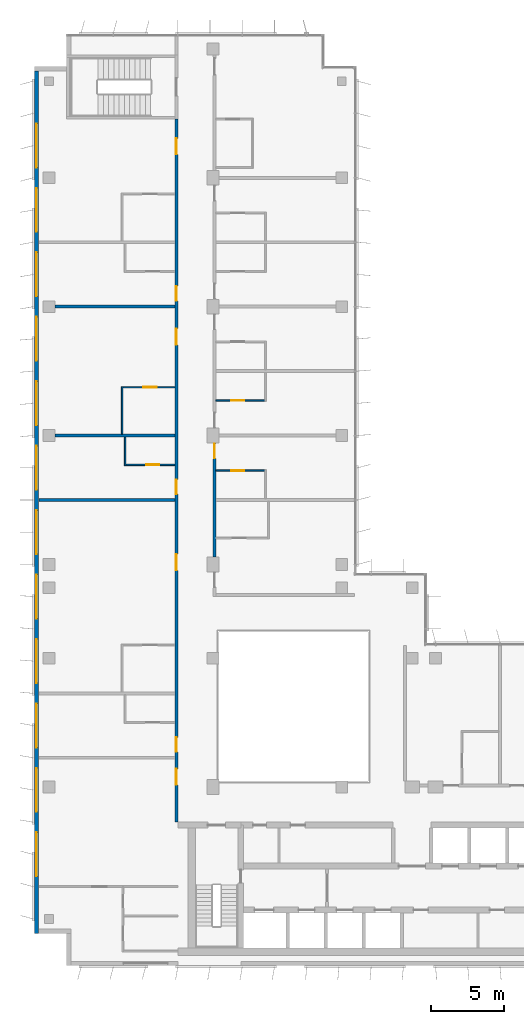
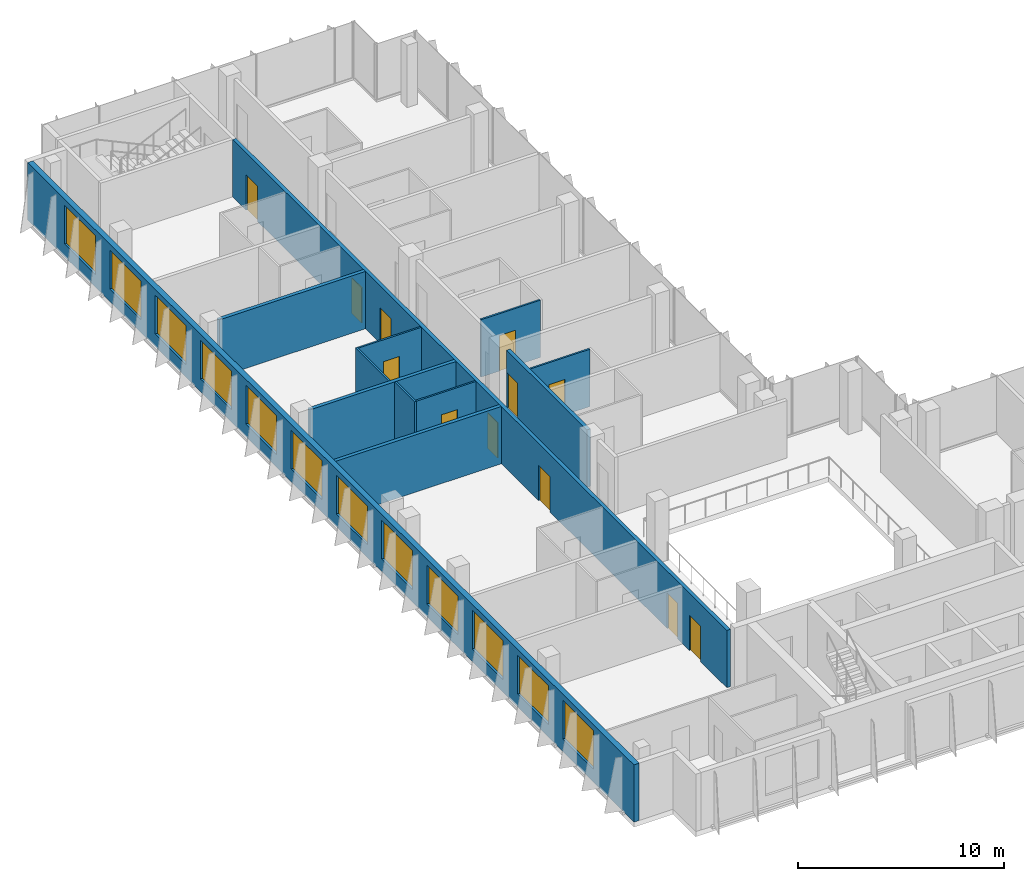
# One storey, part 12 of 17: 12 doors, 12 walls, 12 windows, 24 openings.
"""IFC4 building model written with IfcOpenShell, lengths in metres."""

from ifc_helpers import new_model, si_unit, direction, frame, frame_2d, origin, place, context, subcontext, project, spatial, rectangle, extrude, material, layer, layer_set, type_object, element, fill, save


model = new_model("IFC4")

# Units and contexts
model_context = context("Model", 3, precision=1e-05, world=origin(), true_north=direction((0.0, 1.0)))
body_context = subcontext(model_context, "Body", "Model", "MODEL_VIEW")
ifc_project = project(units=[si_unit("LENGTHUNIT", "METRE"), si_unit("AREAUNIT", "SQUARE_METRE"), si_unit("VOLUMEUNIT", "CUBIC_METRE"), si_unit("PLANEANGLEUNIT", "RADIAN"), si_unit("MASSUNIT", "GRAM", prefix="KILO")], contexts=[model_context])

# Site, building, storey
site_placement = place(None, origin())
site = spatial("IfcSite", under=ifc_project, at=site_placement, CompositionType="ELEMENT")
building_placement = place(site_placement, origin())
building = spatial("IfcBuilding", under=site, at=building_placement, Name="Kemantara Hotel Tower", CompositionType="ELEMENT")
storey_placement = place(building_placement, frame((0.0, 0.0, 222.800048828125)))
storey = spatial("IfcBuildingStorey", under=building, at=storey_placement, Name="L55", CompositionType="ELEMENT", Elevation=222.800048828125)

# Wall, openings, windows
ifc_material_1 = material(Name="Bronze anodised aluminium cladding on insulated steel stud wall", Category="steel")
ifc_layer_1 = layer(ifc_material_1, 0.300048828125)
ifc_layer_set_1 = layer_set([ifc_layer_1], Name="Bronze anodised aluminium cladding on insulated steel stud wall")
wall_type_1 = type_object("IfcWallType", Name="BRONZE METAL-CLAD EXTERNAL WALL 300", PredefinedType="STANDARD", material=ifc_layer_set_1)
wall_1_placement = place(storey_placement, frame((0.14990234375, 61.10009765625, 0.0), z_axis=(0.0, 0.0, 1.0), x_axis=(0.0, -1.0, 0.0)))
wall_1 = element("IfcWall", 1, at=wall_1_placement, inside=storey, type_object=wall_type_1, Name="EXTERNAL WALL L55 T4-R05", PredefinedType="STANDARD", context=body_context, shape_type="SweptSolid", body=[
    extrude(rectangle(XDim=58.900146484375, YDim=0.300048828125, at=frame_2d((29.4501953125, 0.0))), origin(), (0.0, 0.0, 1.0), 3.39990234375),
])
opening_1_placement = place(wall_1_placement, frame((3.60009765625, 0.0, 0.75)))
opening_1 = element("IfcOpeningElement", 2, at=opening_1_placement, cuts=wall_1, Name="Opening W1", PredefinedType="OPENING", context=body_context, shape_type="SweptSolid", body=[
    extrude(rectangle(XDim=3.0, YDim=2.300048828125, at=frame_2d((1.5, 1.14990234375))), frame((0.0, 0.159912109375, 0.0), z_axis=(0.0, -1.0, 0.0), x_axis=(1.0, 0.0, 0.0)), (0.0, 0.0, 1.0), 0.320068359375),
])
opening_2_placement = place(wall_1_placement, frame((8.0, 0.0, 0.75)))
opening_2 = element("IfcOpeningElement", 3, at=opening_2_placement, cuts=wall_1, Name="Opening W1", PredefinedType="OPENING", context=body_context, shape_type="SweptSolid", body=[
    extrude(rectangle(XDim=3.0, YDim=2.300048828125, at=frame_2d((1.5, 1.14990234375))), frame((0.0, 0.159912109375, 0.0), z_axis=(0.0, -1.0, 0.0), x_axis=(1.0, 0.0, 0.0)), (0.0, 0.0, 1.0), 0.320068359375),
])
opening_3_placement = place(wall_1_placement, frame((12.39990234375, 0.0, 0.75)))
opening_3 = element("IfcOpeningElement", 4, at=opening_3_placement, cuts=wall_1, Name="Opening W1", PredefinedType="OPENING", context=body_context, shape_type="SweptSolid", body=[
    extrude(rectangle(XDim=3.0, YDim=2.300048828125, at=frame_2d((1.5, 1.14990234375))), frame((0.0, 0.159912109375, 0.0), z_axis=(0.0, -1.0, 0.0), x_axis=(1.0, 0.0, 0.0)), (0.0, 0.0, 1.0), 0.320068359375),
])
opening_4_placement = place(wall_1_placement, frame((16.800048828125, 0.0, 0.75)))
opening_4 = element("IfcOpeningElement", 5, at=opening_4_placement, cuts=wall_1, Name="Opening W1", PredefinedType="OPENING", context=body_context, shape_type="SweptSolid", body=[
    extrude(rectangle(XDim=3.0, YDim=2.300048828125, at=frame_2d((1.5, 1.14990234375))), frame((0.0, 0.159912109375, 0.0), z_axis=(0.0, -1.0, 0.0), x_axis=(1.0, 0.0, 0.0)), (0.0, 0.0, 1.0), 0.320068359375),
])
opening_5_placement = place(wall_1_placement, frame((21.199951171875, 0.0, 0.75)))
opening_5 = element("IfcOpeningElement", 6, at=opening_5_placement, cuts=wall_1, Name="Opening W1", PredefinedType="OPENING", context=body_context, shape_type="SweptSolid", body=[
    extrude(rectangle(XDim=3.0, YDim=2.300048828125, at=frame_2d((1.5, 1.14990234375))), frame((0.0, 0.159912109375, 0.0), z_axis=(0.0, -1.0, 0.0), x_axis=(1.0, 0.0, 0.0)), (0.0, 0.0, 1.0), 0.320068359375),
])
opening_6_placement = place(wall_1_placement, frame((25.60009765625, 0.0, 0.75)))
opening_6 = element("IfcOpeningElement", 7, at=opening_6_placement, cuts=wall_1, Name="Opening W1", PredefinedType="OPENING", context=body_context, shape_type="SweptSolid", body=[
    extrude(rectangle(XDim=3.0, YDim=2.300048828125, at=frame_2d((1.5, 1.14990234375))), frame((0.0, 0.159912109375, 0.0), z_axis=(0.0, -1.0, 0.0), x_axis=(1.0, 0.0, 0.0)), (0.0, 0.0, 1.0), 0.320068359375),
])
opening_7_placement = place(wall_1_placement, frame((30.0, 0.0, 0.75)))
opening_7 = element("IfcOpeningElement", 8, at=opening_7_placement, cuts=wall_1, Name="Opening W1", PredefinedType="OPENING", context=body_context, shape_type="SweptSolid", body=[
    extrude(rectangle(XDim=3.0, YDim=2.300048828125, at=frame_2d((1.5, 1.14990234375))), frame((0.0, 0.159912109375, 0.0), z_axis=(0.0, -1.0, 0.0), x_axis=(1.0, 0.0, 0.0)), (0.0, 0.0, 1.0), 0.320068359375),
])
opening_8_placement = place(wall_1_placement, frame((34.39990234375, 0.0, 0.75)))
opening_8 = element("IfcOpeningElement", 9, at=opening_8_placement, cuts=wall_1, Name="Opening W1", PredefinedType="OPENING", context=body_context, shape_type="SweptSolid", body=[
    extrude(rectangle(XDim=3.0, YDim=2.300048828125, at=frame_2d((1.5, 1.14990234375))), frame((0.0, 0.159912109375, 0.0), z_axis=(0.0, -1.0, 0.0), x_axis=(1.0, 0.0, 0.0)), (0.0, 0.0, 1.0), 0.320068359375),
])
opening_9_placement = place(wall_1_placement, frame((38.800048828125, 0.0, 0.75)))
opening_9 = element("IfcOpeningElement", 10, at=opening_9_placement, cuts=wall_1, Name="Opening W1", PredefinedType="OPENING", context=body_context, shape_type="SweptSolid", body=[
    extrude(rectangle(XDim=3.0, YDim=2.300048828125, at=frame_2d((1.5, 1.14990234375))), frame((0.0, 0.159912109375, 0.0), z_axis=(0.0, -1.0, 0.0), x_axis=(1.0, 0.0, 0.0)), (0.0, 0.0, 1.0), 0.320068359375),
])
opening_10_placement = place(wall_1_placement, frame((43.199951171875, 0.0, 0.75)))
opening_10 = element("IfcOpeningElement", 11, at=opening_10_placement, cuts=wall_1, Name="Opening W1", PredefinedType="OPENING", context=body_context, shape_type="SweptSolid", body=[
    extrude(rectangle(XDim=3.0, YDim=2.300048828125, at=frame_2d((1.5, 1.14990234375))), frame((0.0, 0.159912109375, 0.0), z_axis=(0.0, -1.0, 0.0), x_axis=(1.0, 0.0, 0.0)), (0.0, 0.0, 1.0), 0.320068359375),
])
opening_11_placement = place(wall_1_placement, frame((47.60009765625, 0.0, 0.75)))
opening_11 = element("IfcOpeningElement", 12, at=opening_11_placement, cuts=wall_1, Name="Opening W1", PredefinedType="OPENING", context=body_context, shape_type="SweptSolid", body=[
    extrude(rectangle(XDim=3.0, YDim=2.300048828125, at=frame_2d((1.5, 1.14990234375))), frame((0.0, 0.159912109375, 0.0), z_axis=(0.0, -1.0, 0.0), x_axis=(1.0, 0.0, 0.0)), (0.0, 0.0, 1.0), 0.320068359375),
])
opening_12_placement = place(wall_1_placement, frame((52.0, 0.0, 0.75)))
opening_12 = element("IfcOpeningElement", 13, at=opening_12_placement, cuts=wall_1, Name="Opening W1", PredefinedType="OPENING", context=body_context, shape_type="SweptSolid", body=[
    extrude(rectangle(XDim=3.0, YDim=2.300048828125, at=frame_2d((1.5, 1.14990234375))), frame((0.0, 0.159912109375, 0.0), z_axis=(0.0, -1.0, 0.0), x_axis=(1.0, 0.0, 0.0)), (0.0, 0.0, 1.0), 0.320068359375),
])
ifc_material_2 = material(Name="Low-E tinted double insulated glass in bronze anodised aluminium frame", Category="aluminium")
window_type = type_object("IfcWindowType", Name="CHICAGO WINDOW, TRIPLE PANEL 3000x2300", PartitioningType="TRIPLE_PANEL_VERTICAL", PredefinedType="WINDOW", material=ifc_material_2)
window_1_placement = place(opening_1_placement, origin())
window_1 = element("IfcWindow", 14, at=window_1_placement, inside=storey, type_object=window_type, Name="CHICAGO WINDOW L55 T4-R05-54", OverallHeight=2.300048828125, OverallWidth=3.0, PartitioningType="SINGLE_PANEL", PredefinedType="WINDOW", context=body_context, shape_type="SweptSolid", body=[
    extrude(rectangle(XDim=3.0, YDim=2.300048828125, at=frame_2d((1.5, 1.14990234375))), frame((0.0, 0.030029296875, 0.0), z_axis=(0.0, -1.0, 0.0), x_axis=(1.0, 0.0, 0.0)), (0.0, 0.0, 1.0), 0.06005859375),
])
fill(opening_1, window_1)
window_2_placement = place(opening_2_placement, origin())
window_2 = element("IfcWindow", 15, at=window_2_placement, inside=storey, type_object=window_type, Name="CHICAGO WINDOW L55 T4-R05-98", OverallHeight=2.300048828125, OverallWidth=3.0, PartitioningType="SINGLE_PANEL", PredefinedType="WINDOW", context=body_context, shape_type="SweptSolid", body=[
    extrude(rectangle(XDim=3.0, YDim=2.300048828125, at=frame_2d((1.5, 1.14990234375))), frame((0.0, 0.030029296875, 0.0), z_axis=(0.0, -1.0, 0.0), x_axis=(1.0, 0.0, 0.0)), (0.0, 0.0, 1.0), 0.06005859375),
])
fill(opening_2, window_2)
window_3_placement = place(opening_3_placement, origin())
window_3 = element("IfcWindow", 16, at=window_3_placement, inside=storey, type_object=window_type, Name="CHICAGO WINDOW L55 T4-R05-142", OverallHeight=2.300048828125, OverallWidth=3.0, PartitioningType="SINGLE_PANEL", PredefinedType="WINDOW", context=body_context, shape_type="SweptSolid", body=[
    extrude(rectangle(XDim=3.0, YDim=2.300048828125, at=frame_2d((1.5, 1.14990234375))), frame((0.0, 0.030029296875, 0.0), z_axis=(0.0, -1.0, 0.0), x_axis=(1.0, 0.0, 0.0)), (0.0, 0.0, 1.0), 0.06005859375),
])
fill(opening_3, window_3)
window_4_placement = place(opening_4_placement, origin())
window_4 = element("IfcWindow", 17, at=window_4_placement, inside=storey, type_object=window_type, Name="CHICAGO WINDOW L55 T4-R05-186", OverallHeight=2.300048828125, OverallWidth=3.0, PartitioningType="SINGLE_PANEL", PredefinedType="WINDOW", context=body_context, shape_type="SweptSolid", body=[
    extrude(rectangle(XDim=3.0, YDim=2.300048828125, at=frame_2d((1.5, 1.14990234375))), frame((0.0, 0.030029296875, 0.0), z_axis=(0.0, -1.0, 0.0), x_axis=(1.0, 0.0, 0.0)), (0.0, 0.0, 1.0), 0.06005859375),
])
fill(opening_4, window_4)
window_5_placement = place(opening_5_placement, origin())
window_5 = element("IfcWindow", 18, at=window_5_placement, inside=storey, type_object=window_type, Name="CHICAGO WINDOW L55 T4-R05-230", OverallHeight=2.300048828125, OverallWidth=3.0, PartitioningType="SINGLE_PANEL", PredefinedType="WINDOW", context=body_context, shape_type="SweptSolid", body=[
    extrude(rectangle(XDim=3.0, YDim=2.300048828125, at=frame_2d((1.5, 1.14990234375))), frame((0.0, 0.030029296875, 0.0), z_axis=(0.0, -1.0, 0.0), x_axis=(1.0, 0.0, 0.0)), (0.0, 0.0, 1.0), 0.06005859375),
])
fill(opening_5, window_5)
window_6_placement = place(opening_6_placement, origin())
window_6 = element("IfcWindow", 19, at=window_6_placement, inside=storey, type_object=window_type, Name="CHICAGO WINDOW L55 T4-R05-274", OverallHeight=2.300048828125, OverallWidth=3.0, PartitioningType="SINGLE_PANEL", PredefinedType="WINDOW", context=body_context, shape_type="SweptSolid", body=[
    extrude(rectangle(XDim=3.0, YDim=2.300048828125, at=frame_2d((1.5, 1.14990234375))), frame((0.0, 0.030029296875, 0.0), z_axis=(0.0, -1.0, 0.0), x_axis=(1.0, 0.0, 0.0)), (0.0, 0.0, 1.0), 0.06005859375),
])
fill(opening_6, window_6)
window_7_placement = place(opening_7_placement, origin())
window_7 = element("IfcWindow", 20, at=window_7_placement, inside=storey, type_object=window_type, Name="CHICAGO WINDOW L55 T4-R05-318", OverallHeight=2.300048828125, OverallWidth=3.0, PartitioningType="SINGLE_PANEL", PredefinedType="WINDOW", context=body_context, shape_type="SweptSolid", body=[
    extrude(rectangle(XDim=3.0, YDim=2.300048828125, at=frame_2d((1.5, 1.14990234375))), frame((0.0, 0.030029296875, 0.0), z_axis=(0.0, -1.0, 0.0), x_axis=(1.0, 0.0, 0.0)), (0.0, 0.0, 1.0), 0.06005859375),
])
fill(opening_7, window_7)
window_8_placement = place(opening_8_placement, origin())
window_8 = element("IfcWindow", 21, at=window_8_placement, inside=storey, type_object=window_type, Name="CHICAGO WINDOW L55 T4-R05-362", OverallHeight=2.300048828125, OverallWidth=3.0, PartitioningType="SINGLE_PANEL", PredefinedType="WINDOW", context=body_context, shape_type="SweptSolid", body=[
    extrude(rectangle(XDim=3.0, YDim=2.300048828125, at=frame_2d((1.5, 1.14990234375))), frame((0.0, 0.030029296875, 0.0), z_axis=(0.0, -1.0, 0.0), x_axis=(1.0, 0.0, 0.0)), (0.0, 0.0, 1.0), 0.06005859375),
])
fill(opening_8, window_8)
window_9_placement = place(opening_9_placement, origin())
window_9 = element("IfcWindow", 22, at=window_9_placement, inside=storey, type_object=window_type, Name="CHICAGO WINDOW L55 T4-R05-406", OverallHeight=2.300048828125, OverallWidth=3.0, PartitioningType="SINGLE_PANEL", PredefinedType="WINDOW", context=body_context, shape_type="SweptSolid", body=[
    extrude(rectangle(XDim=3.0, YDim=2.300048828125, at=frame_2d((1.5, 1.14990234375))), frame((0.0, 0.030029296875, 0.0), z_axis=(0.0, -1.0, 0.0), x_axis=(1.0, 0.0, 0.0)), (0.0, 0.0, 1.0), 0.06005859375),
])
fill(opening_9, window_9)
window_10_placement = place(opening_10_placement, origin())
window_10 = element("IfcWindow", 23, at=window_10_placement, inside=storey, type_object=window_type, Name="CHICAGO WINDOW L55 T4-R05-450", OverallHeight=2.300048828125, OverallWidth=3.0, PartitioningType="SINGLE_PANEL", PredefinedType="WINDOW", context=body_context, shape_type="SweptSolid", body=[
    extrude(rectangle(XDim=3.0, YDim=2.300048828125, at=frame_2d((1.5, 1.14990234375))), frame((0.0, 0.030029296875, 0.0), z_axis=(0.0, -1.0, 0.0), x_axis=(1.0, 0.0, 0.0)), (0.0, 0.0, 1.0), 0.06005859375),
])
fill(opening_10, window_10)
window_11_placement = place(opening_11_placement, origin())
window_11 = element("IfcWindow", 24, at=window_11_placement, inside=storey, type_object=window_type, Name="CHICAGO WINDOW L55 T4-R05-494", OverallHeight=2.300048828125, OverallWidth=3.0, PartitioningType="SINGLE_PANEL", PredefinedType="WINDOW", context=body_context, shape_type="SweptSolid", body=[
    extrude(rectangle(XDim=3.0, YDim=2.300048828125, at=frame_2d((1.5, 1.14990234375))), frame((0.0, 0.030029296875, 0.0), z_axis=(0.0, -1.0, 0.0), x_axis=(1.0, 0.0, 0.0)), (0.0, 0.0, 1.0), 0.06005859375),
])
fill(opening_11, window_11)
window_12_placement = place(opening_12_placement, origin())
window_12 = element("IfcWindow", 25, at=window_12_placement, inside=storey, type_object=window_type, Name="CHICAGO WINDOW L55 T4-R05-538", OverallHeight=2.300048828125, OverallWidth=3.0, PartitioningType="SINGLE_PANEL", PredefinedType="WINDOW", context=body_context, shape_type="SweptSolid", body=[
    extrude(rectangle(XDim=3.0, YDim=2.300048828125, at=frame_2d((1.5, 1.14990234375))), frame((0.0, 0.030029296875, 0.0), z_axis=(0.0, -1.0, 0.0), x_axis=(1.0, 0.0, 0.0)), (0.0, 0.0, 1.0), 0.06005859375),
])
fill(opening_12, window_12)

# Wall, openings, doors
ifc_material_3 = material(Name="Gypsum board partition, steel studs and mineral wool, 200 mm", Category="steel")
ifc_layer_2 = layer(ifc_material_3, 0.199951171875)
ifc_layer_set_2 = layer_set([ifc_layer_2], Name="Gypsum board partition, steel studs and mineral wool, 200 mm")
wall_type_2 = type_object("IfcWallType", Name="CORRIDOR WALL 200", PredefinedType="PARTITIONING", material=ifc_layer_set_2)
wall_2_placement = place(storey_placement, frame((9.699951171875, 9.800048828125, 0.0), z_axis=(0.0, 0.0, 1.0), x_axis=(0.0, 1.0, 0.0)))
wall_2 = element("IfcWall", 26, at=wall_2_placement, inside=storey, type_object=wall_type_2, Name="CORRIDOR WALL 200 008", PredefinedType="PARTITIONING", context=body_context, shape_type="SweptSolid", body=[
    extrude(rectangle(XDim=48.0, YDim=0.199951171875, at=frame_2d((24.0, 0.0))), origin(), (0.0, 0.0, 1.0), 3.39990234375),
])
opening_13_placement = place(wall_2_placement, frame((2.550048828125, 0.0, 0.0)))
opening_13 = element("IfcOpeningElement", 27, at=opening_13_placement, cuts=wall_2, Name="Opening F27-009", PredefinedType="OPENING", context=body_context, shape_type="SweptSolid", body=[
    extrude(rectangle(XDim=1.10009765625, YDim=2.10009765625, at=frame_2d((0.550048828125, 1.050048828125))), frame((0.0, 0.10986328125, 0.0), z_axis=(0.0, -1.0, 0.0), x_axis=(1.0, 0.0, 0.0)), (0.0, 0.0, 1.0), 0.219970703125),
])
opening_14_placement = place(wall_2_placement, frame((4.800048828125, 0.0, 0.0)))
opening_14 = element("IfcOpeningElement", 28, at=opening_14_placement, cuts=wall_2, Name="Opening F27-013", PredefinedType="OPENING", context=body_context, shape_type="SweptSolid", body=[
    extrude(rectangle(XDim=1.0, YDim=2.10009765625, at=frame_2d((0.5, 1.050048828125))), frame((0.0, 0.10986328125, 0.0), z_axis=(0.0, -1.0, 0.0), x_axis=(1.0, 0.0, 0.0)), (0.0, 0.0, 1.0), 0.219970703125),
])
opening_15_placement = place(wall_2_placement, frame((17.199951171875, 0.0, 0.0)))
opening_15 = element("IfcOpeningElement", 29, at=opening_15_placement, cuts=wall_2, Name="Opening F27-015", PredefinedType="OPENING", context=body_context, shape_type="SweptSolid", body=[
    extrude(rectangle(XDim=1.10009765625, YDim=2.10009765625, at=frame_2d((0.550048828125, 1.050048828125))), frame((0.0, 0.10986328125, 0.0), z_axis=(0.0, -1.0, 0.0), x_axis=(1.0, 0.0, 0.0)), (0.0, 0.0, 1.0), 0.219970703125),
])
opening_16_placement = place(wall_2_placement, frame((22.39990234375, 0.0, 0.0)))
opening_16 = element("IfcOpeningElement", 30, at=opening_16_placement, cuts=wall_2, Name="Opening F27-017", PredefinedType="OPENING", context=body_context, shape_type="SweptSolid", body=[
    extrude(rectangle(XDim=1.0, YDim=2.10009765625, at=frame_2d((0.5, 1.050048828125))), frame((0.0, 0.10986328125, 0.0), z_axis=(0.0, -1.0, 0.0), x_axis=(1.0, 0.0, 0.0)), (0.0, 0.0, 1.0), 0.219970703125),
])
opening_17_placement = place(wall_2_placement, frame((32.60009765625, 0.0, 0.0)))
opening_17 = element("IfcOpeningElement", 31, at=opening_17_placement, cuts=wall_2, Name="Opening F27-019", PredefinedType="OPENING", context=body_context, shape_type="SweptSolid", body=[
    extrude(rectangle(XDim=1.10009765625, YDim=2.10009765625, at=frame_2d((0.550048828125, 1.050048828125))), frame((0.0, 0.10986328125, 0.0), z_axis=(0.0, -1.0, 0.0), x_axis=(1.0, 0.0, 0.0)), (0.0, 0.0, 1.0), 0.219970703125),
])
opening_18_placement = place(wall_2_placement, frame((35.60009765625, 0.0, 0.0)))
opening_18 = element("IfcOpeningElement", 32, at=opening_18_placement, cuts=wall_2, Name="Opening F27-021", PredefinedType="OPENING", context=body_context, shape_type="SweptSolid", body=[
    extrude(rectangle(XDim=1.0, YDim=2.10009765625, at=frame_2d((0.5, 1.050048828125))), frame((0.0, 0.10986328125, 0.0), z_axis=(0.0, -1.0, 0.0), x_axis=(1.0, 0.0, 0.0)), (0.0, 0.0, 1.0), 0.219970703125),
])
opening_19_placement = place(wall_2_placement, frame((45.60009765625, 0.0, 0.0)))
opening_19 = element("IfcOpeningElement", 33, at=opening_19_placement, cuts=wall_2, Name="Opening F27-023", PredefinedType="OPENING", context=body_context, shape_type="SweptSolid", body=[
    extrude(rectangle(XDim=1.10009765625, YDim=2.10009765625, at=frame_2d((0.550048828125, 1.050048828125))), frame((0.0, 0.10986328125, 0.0), z_axis=(0.0, -1.0, 0.0), x_axis=(1.0, 0.0, 0.0)), (0.0, 0.0, 1.0), 0.219970703125),
])
ifc_material_4 = material(Name="Hardwood veneer door leaf with steel frame", Category="steel")
door_type_1 = type_object("IfcDoorType", Name="GUEST ROOM DOOR 1000 X 2100 FD30S", OperationType="NOTDEFINED", PredefinedType="DOOR", material=ifc_material_4)
door_1_placement = place(opening_14_placement, origin())
door_1 = element("IfcDoor", 34, at=door_1_placement, inside=storey, type_object=door_type_1, Name="GUEST ROOM DOOR F27-013", OperationType="SINGLE_SWING_LEFT", OverallHeight=2.10009765625, OverallWidth=1.0, PredefinedType="DOOR", context=body_context, shape_type="SweptSolid", body=[
    extrude(rectangle(XDim=1.0, YDim=2.10009765625, at=frame_2d((0.5, 1.050048828125))), frame((0.0, 0.02490234375, 0.0), z_axis=(0.0, -1.0, 0.0), x_axis=(1.0, 0.0, 0.0)), (0.0, 0.0, 1.0), 0.050048828125),
])
fill(opening_14, door_1)
door_2_placement = place(opening_16_placement, origin())
door_2 = element("IfcDoor", 35, at=door_2_placement, inside=storey, type_object=door_type_1, Name="GUEST ROOM DOOR F27-017", OperationType="SINGLE_SWING_LEFT", OverallHeight=2.10009765625, OverallWidth=1.0, PredefinedType="DOOR", context=body_context, shape_type="SweptSolid", body=[
    extrude(rectangle(XDim=1.0, YDim=2.10009765625, at=frame_2d((0.5, 1.050048828125))), frame((0.0, 0.02490234375, 0.0), z_axis=(0.0, -1.0, 0.0), x_axis=(1.0, 0.0, 0.0)), (0.0, 0.0, 1.0), 0.050048828125),
])
fill(opening_16, door_2)
door_3_placement = place(opening_18_placement, origin())
door_3 = element("IfcDoor", 36, at=door_3_placement, inside=storey, type_object=door_type_1, Name="GUEST ROOM DOOR F27-021", OperationType="SINGLE_SWING_LEFT", OverallHeight=2.10009765625, OverallWidth=1.0, PredefinedType="DOOR", context=body_context, shape_type="SweptSolid", body=[
    extrude(rectangle(XDim=1.0, YDim=2.10009765625, at=frame_2d((0.5, 1.050048828125))), frame((0.0, 0.02490234375, 0.0), z_axis=(0.0, -1.0, 0.0), x_axis=(1.0, 0.0, 0.0)), (0.0, 0.0, 1.0), 0.050048828125),
])
fill(opening_18, door_3)
door_type_2 = type_object("IfcDoorType", Name="SUITE ENTRANCE DOOR 1100 X 2100 FD30S", OperationType="NOTDEFINED", PredefinedType="DOOR", material=ifc_material_4)
door_4_placement = place(opening_13_placement, origin())
door_4 = element("IfcDoor", 37, at=door_4_placement, inside=storey, type_object=door_type_2, Name="SUITE ENTRANCE DOOR F27-009", OperationType="SINGLE_SWING_RIGHT", OverallHeight=2.10009765625, OverallWidth=1.10009765625, PredefinedType="DOOR", context=body_context, shape_type="SweptSolid", body=[
    extrude(rectangle(XDim=1.10009765625, YDim=2.10009765625, at=frame_2d((0.550048828125, 1.050048828125))), frame((0.0, 0.02490234375, 0.0), z_axis=(0.0, -1.0, 0.0), x_axis=(1.0, 0.0, 0.0)), (0.0, 0.0, 1.0), 0.050048828125),
])
fill(opening_13, door_4)
door_5_placement = place(opening_15_placement, origin())
door_5 = element("IfcDoor", 38, at=door_5_placement, inside=storey, type_object=door_type_2, Name="SUITE ENTRANCE DOOR F27-015", OperationType="SINGLE_SWING_RIGHT", OverallHeight=2.10009765625, OverallWidth=1.10009765625, PredefinedType="DOOR", context=body_context, shape_type="SweptSolid", body=[
    extrude(rectangle(XDim=1.10009765625, YDim=2.10009765625, at=frame_2d((0.550048828125, 1.050048828125))), frame((0.0, 0.02490234375, 0.0), z_axis=(0.0, -1.0, 0.0), x_axis=(1.0, 0.0, 0.0)), (0.0, 0.0, 1.0), 0.050048828125),
])
fill(opening_15, door_5)
door_6_placement = place(opening_17_placement, origin())
door_6 = element("IfcDoor", 39, at=door_6_placement, inside=storey, type_object=door_type_2, Name="SUITE ENTRANCE DOOR F27-019", OperationType="SINGLE_SWING_RIGHT", OverallHeight=2.10009765625, OverallWidth=1.10009765625, PredefinedType="DOOR", context=body_context, shape_type="SweptSolid", body=[
    extrude(rectangle(XDim=1.10009765625, YDim=2.10009765625, at=frame_2d((0.550048828125, 1.050048828125))), frame((0.0, 0.02490234375, 0.0), z_axis=(0.0, -1.0, 0.0), x_axis=(1.0, 0.0, 0.0)), (0.0, 0.0, 1.0), 0.050048828125),
])
fill(opening_17, door_6)
door_7_placement = place(opening_19_placement, origin())
door_7 = element("IfcDoor", 40, at=door_7_placement, inside=storey, type_object=door_type_2, Name="SUITE ENTRANCE DOOR F27-023", OperationType="SINGLE_SWING_RIGHT", OverallHeight=2.10009765625, OverallWidth=1.10009765625, PredefinedType="DOOR", context=body_context, shape_type="SweptSolid", body=[
    extrude(rectangle(XDim=1.10009765625, YDim=2.10009765625, at=frame_2d((0.550048828125, 1.050048828125))), frame((0.0, 0.02490234375, 0.0), z_axis=(0.0, -1.0, 0.0), x_axis=(1.0, 0.0, 0.0)), (0.0, 0.0, 1.0), 0.050048828125),
])
fill(opening_19, door_7)

# Wall, opening, door
wall_3_placement = place(storey_placement, frame((12.300048828125, 35.699951171875, 0.0), z_axis=(0.0, 0.0, 1.0), x_axis=(0.0, -1.0, 0.0)))
wall_3 = element("IfcWall", 41, at=wall_3_placement, inside=storey, type_object=wall_type_2, Name="CORRIDOR WALL 200 021", PredefinedType="PARTITIONING", context=body_context, shape_type="SweptSolid", body=[
    extrude(rectangle(XDim=7.7998046875, YDim=0.199951171875, at=frame_2d((3.89990234375, 0.0))), origin(), (0.0, 0.0, 1.0), 3.39990234375),
])
opening_20_placement = place(wall_3_placement, frame((0.0498046875, 0.0, 0.0)))
opening_20 = element("IfcOpeningElement", 42, at=opening_20_placement, cuts=wall_3, Name="Opening F27-027", PredefinedType="OPENING", context=body_context, shape_type="SweptSolid", body=[
    extrude(rectangle(XDim=1.0, YDim=2.10009765625, at=frame_2d((0.5, 1.050048828125))), frame((0.0, 0.10986328125, 0.0), z_axis=(0.0, -1.0, 0.0), x_axis=(1.0, 0.0, 0.0)), (0.0, 0.0, 1.0), 0.219970703125),
])
door_8_placement = place(opening_20_placement, origin())
door_8 = element("IfcDoor", 43, at=door_8_placement, inside=storey, type_object=door_type_1, Name="GUEST ROOM DOOR F27-027", OperationType="SINGLE_SWING_LEFT", OverallHeight=2.10009765625, OverallWidth=1.0, PredefinedType="DOOR", context=body_context, shape_type="SweptSolid", body=[
    extrude(rectangle(XDim=1.0, YDim=2.10009765625, at=frame_2d((0.5, 1.050048828125))), frame((0.0, 0.02490234375, 0.0), z_axis=(0.0, -1.0, 0.0), x_axis=(1.0, 0.0, 0.0)), (0.0, 0.0, 1.0), 0.050048828125),
])
fill(opening_20, door_8)

# Walls
ifc_layer_3 = layer(ifc_material_3, 0.199951171875)
ifc_layer_set_3 = layer_set([ifc_layer_3], Name="Gypsum board partition, steel studs and mineral wool, 200 mm")
wall_type_3 = type_object("IfcWallType", Name="GUEST ROOM PARTY WALL 200", PredefinedType="PARTITIONING", material=ifc_layer_set_3)
wall_4_placement = place(storey_placement, frame((0.31005859375, 31.800048828125, 0.0), z_axis=(0.0, 0.0, 1.0), x_axis=(1.0, 0.0, 0.0)))
element("IfcWall", 44, at=wall_4_placement, inside=storey, type_object=wall_type_3, Name="GUEST ROOM PARTY WALL 200 012", PredefinedType="PARTITIONING", context=body_context, shape_type="SweptSolid", body=[
    extrude(rectangle(XDim=9.2900390625, YDim=0.199951171875, at=frame_2d((4.64501953125, 0.0))), origin(), (0.0, 0.0, 1.0), 3.39990234375),
])
for number, where, z_axis, x_axis, name in (
    (45, (1.400146484375, 36.199951171875, 0.0), (0.0, 0.0, 1.0), (1.0, 0.0, 0.0), "GUEST ROOM PARTY WALL 200 014"),
    (46, (1.400146484375, 45.0, 0.0), (0.0, 0.0, 1.0), (1.0, 0.0, 0.0), "GUEST ROOM PARTY WALL 200 016"),
):
    element("IfcWall", number, at=place(storey_placement, frame(where, z_axis=z_axis, x_axis=x_axis)), inside=storey, type_object=wall_type_3, Name=name, PredefinedType="PARTITIONING", context=body_context, shape_type="SweptSolid", body=[
        extrude(rectangle(XDim=8.199951171875, YDim=0.199951171875, at=frame_2d((4.10009765625, 0.0))), origin(), (0.0, 0.0, 1.0), 3.39990234375),
    ])
ifc_material_5 = material(Name="Gypsum board partition on steel studs, 100 mm", Category="steel")
ifc_layer_4 = layer(ifc_material_5, 0.10009765625)
ifc_layer_set_4 = layer_set([ifc_layer_4], Name="Gypsum board partition on steel studs, 100 mm")
wall_type_4 = type_object("IfcWallType", Name="ROOM PARTITION 100", PredefinedType="PARTITIONING", material=ifc_layer_set_4)
wall_5_placement = place(storey_placement, frame((6.199951171875, 34.14990234375, 0.0), z_axis=(0.0, 0.0, 1.0), x_axis=(0.0, 1.0, 0.0)))
element("IfcWall", 47, at=wall_5_placement, inside=storey, type_object=wall_type_4, Name="ROOM PARTITION 100 041", PredefinedType="PARTITIONING", context=body_context, shape_type="SweptSolid", body=[
    extrude(rectangle(XDim=1.9501953125, YDim=0.10009765625, at=frame_2d((0.97509765625, 0.0))), origin(), (0.0, 0.0, 1.0), 3.39990234375),
])
wall_6_placement = place(storey_placement, frame((6.0, 36.300048828125, 0.0), z_axis=(0.0, 0.0, 1.0), x_axis=(0.0, 1.0, 0.0)))
element("IfcWall", 48, at=wall_6_placement, inside=storey, type_object=wall_type_4, Name="ROOM PARTITION 100 045", PredefinedType="PARTITIONING", context=body_context, shape_type="SweptSolid", body=[
    extrude(rectangle(XDim=3.25, YDim=0.10009765625, at=frame_2d((1.625, 0.0))), origin(), (0.0, 0.0, 1.0), 3.39990234375),
])

# Wall, opening, door
wall_7_placement = place(storey_placement, frame((6.25, 34.199951171875, 0.0), z_axis=(0.0, 0.0, 1.0), x_axis=(1.0, 0.0, 0.0)))
wall_7 = element("IfcWall", 49, at=wall_7_placement, inside=storey, type_object=wall_type_4, Name="ROOM PARTITION 100 048", PredefinedType="PARTITIONING", context=body_context, shape_type="SweptSolid", body=[
    extrude(rectangle(XDim=3.35009765625, YDim=0.10009765625, at=frame_2d((1.675048828125, 0.0))), origin(), (0.0, 0.0, 1.0), 3.39990234375),
])
opening_21_placement = place(wall_7_placement, frame((1.39990234375, 0.0, 0.0)))
opening_21 = element("IfcOpeningElement", 50, at=opening_21_placement, cuts=wall_7, Name="Opening F27-018", PredefinedType="OPENING", context=body_context, shape_type="SweptSolid", body=[
    extrude(rectangle(XDim=0.89990234375, YDim=2.10009765625, at=frame_2d((0.449951171875, 1.050048828125))), frame((0.0, 0.06005859375, 0.0), z_axis=(0.0, -1.0, 0.0), x_axis=(1.0, 0.0, 0.0)), (0.0, 0.0, 1.0), 0.1201171875),
])
door_type_3 = type_object("IfcDoorType", Name="BATHROOM DOOR 900 X 2100", OperationType="NOTDEFINED", PredefinedType="DOOR", material=ifc_material_4)
door_9_placement = place(opening_21_placement, origin())
door_9 = element("IfcDoor", 51, at=door_9_placement, inside=storey, type_object=door_type_3, Name="BATHROOM DOOR F27-018", OperationType="SINGLE_SWING_RIGHT", OverallHeight=2.10009765625, OverallWidth=0.89990234375, PredefinedType="DOOR", context=body_context, shape_type="SweptSolid", body=[
    extrude(rectangle(XDim=0.89990234375, YDim=2.10009765625, at=frame_2d((0.449951171875, 1.050048828125))), frame((0.0, 0.02490234375, 0.0), z_axis=(0.0, -1.0, 0.0), x_axis=(1.0, 0.0, 0.0)), (0.0, 0.0, 1.0), 0.050048828125),
])
fill(opening_21, door_9)

wall_8_placement = place(storey_placement, frame((9.60009765625, 39.5, 0.0), z_axis=(0.0, 0.0, 1.0), x_axis=(-1.0, 0.0, 0.0)))
wall_8 = element("IfcWall", 52, at=wall_8_placement, inside=storey, type_object=wall_type_4, Name="ROOM PARTITION 100 049", PredefinedType="PARTITIONING", context=body_context, shape_type="SweptSolid", body=[
    extrude(rectangle(XDim=3.550048828125, YDim=0.10009765625, at=frame_2d((1.77490234375, 0.0))), origin(), (0.0, 0.0, 1.0), 3.39990234375),
])
opening_22_placement = place(wall_8_placement, frame((1.25, 0.0, 0.0)))
opening_22 = element("IfcOpeningElement", 53, at=opening_22_placement, cuts=wall_8, Name="Opening F27-020", PredefinedType="OPENING", context=body_context, shape_type="SweptSolid", body=[
    extrude(rectangle(XDim=0.89990234375, YDim=2.10009765625, at=frame_2d((0.449951171875, 1.050048828125))), frame((0.0, 0.06005859375, 0.0), z_axis=(0.0, -1.0, 0.0), x_axis=(1.0, 0.0, 0.0)), (0.0, 0.0, 1.0), 0.1201171875),
])
door_10_placement = place(opening_22_placement, origin())
door_10 = element("IfcDoor", 54, at=door_10_placement, inside=storey, type_object=door_type_3, Name="BATHROOM DOOR F27-020", OperationType="SINGLE_SWING_LEFT", OverallHeight=2.10009765625, OverallWidth=0.89990234375, PredefinedType="DOOR", context=body_context, shape_type="SweptSolid", body=[
    extrude(rectangle(XDim=0.89990234375, YDim=2.10009765625, at=frame_2d((0.449951171875, 1.050048828125))), frame((0.0, 0.02490234375, 0.0), z_axis=(0.0, -1.0, 0.0), x_axis=(1.0, 0.0, 0.0)), (0.0, 0.0, 1.0), 0.050048828125),
])
fill(opening_22, door_10)

wall_9_placement = place(storey_placement, frame((15.75, 33.800048828125, 0.0), z_axis=(0.0, 0.0, 1.0), x_axis=(-1.0, 0.0, 0.0)))
wall_9 = element("IfcWall", 55, at=wall_9_placement, inside=storey, type_object=wall_type_4, Name="ROOM PARTITION 100 060", PredefinedType="PARTITIONING", context=body_context, shape_type="SweptSolid", body=[
    extrude(rectangle(XDim=3.35009765625, YDim=0.10009765625, at=frame_2d((1.675048828125, 0.0))), origin(), (0.0, 0.0, 1.0), 3.39990234375),
])
opening_23_placement = place(wall_9_placement, frame((1.39990234375, 0.0, 0.0)))
opening_23 = element("IfcOpeningElement", 56, at=opening_23_placement, cuts=wall_9, Name="Opening F27-028", PredefinedType="OPENING", context=body_context, shape_type="SweptSolid", body=[
    extrude(rectangle(XDim=0.89990234375, YDim=2.10009765625, at=frame_2d((0.449951171875, 1.050048828125))), frame((0.0, 0.06005859375, 0.0), z_axis=(0.0, -1.0, 0.0), x_axis=(1.0, 0.0, 0.0)), (0.0, 0.0, 1.0), 0.1201171875),
])
door_11_placement = place(opening_23_placement, origin())
door_11 = element("IfcDoor", 57, at=door_11_placement, inside=storey, type_object=door_type_3, Name="BATHROOM DOOR F27-028", OperationType="SINGLE_SWING_RIGHT", OverallHeight=2.10009765625, OverallWidth=0.89990234375, PredefinedType="DOOR", context=body_context, shape_type="SweptSolid", body=[
    extrude(rectangle(XDim=0.89990234375, YDim=2.10009765625, at=frame_2d((0.449951171875, 1.050048828125))), frame((0.0, 0.02490234375, 0.0), z_axis=(0.0, -1.0, 0.0), x_axis=(1.0, 0.0, 0.0)), (0.0, 0.0, 1.0), 0.050048828125),
])
fill(opening_23, door_11)

wall_10_placement = place(storey_placement, frame((12.39990234375, 38.60009765625, 0.0), z_axis=(0.0, 0.0, 1.0), x_axis=(1.0, 0.0, 0.0)))
wall_10 = element("IfcWall", 58, at=wall_10_placement, inside=storey, type_object=wall_type_4, Name="ROOM PARTITION 100 061", PredefinedType="PARTITIONING", context=body_context, shape_type="SweptSolid", body=[
    extrude(rectangle(XDim=3.35009765625, YDim=0.10009765625, at=frame_2d((1.675048828125, 0.0))), origin(), (0.0, 0.0, 1.0), 3.39990234375),
])
opening_24_placement = place(wall_10_placement, frame((1.050048828125, 0.0, 0.0)))
opening_24 = element("IfcOpeningElement", 59, at=opening_24_placement, cuts=wall_10, Name="Opening F27-030", PredefinedType="OPENING", context=body_context, shape_type="SweptSolid", body=[
    extrude(rectangle(XDim=0.89990234375, YDim=2.10009765625, at=frame_2d((0.449951171875, 1.050048828125))), frame((0.0, 0.06005859375, 0.0), z_axis=(0.0, -1.0, 0.0), x_axis=(1.0, 0.0, 0.0)), (0.0, 0.0, 1.0), 0.1201171875),
])
door_12_placement = place(opening_24_placement, origin())
door_12 = element("IfcDoor", 60, at=door_12_placement, inside=storey, type_object=door_type_3, Name="BATHROOM DOOR F27-030", OperationType="SINGLE_SWING_LEFT", OverallHeight=2.10009765625, OverallWidth=0.89990234375, PredefinedType="DOOR", context=body_context, shape_type="SweptSolid", body=[
    extrude(rectangle(XDim=0.89990234375, YDim=2.10009765625, at=frame_2d((0.449951171875, 1.050048828125))), frame((0.0, 0.02490234375, 0.0), z_axis=(0.0, -1.0, 0.0), x_axis=(1.0, 0.0, 0.0)), (0.0, 0.0, 1.0), 0.050048828125),
])
fill(opening_24, door_12)

save(model, "model.ifc")
